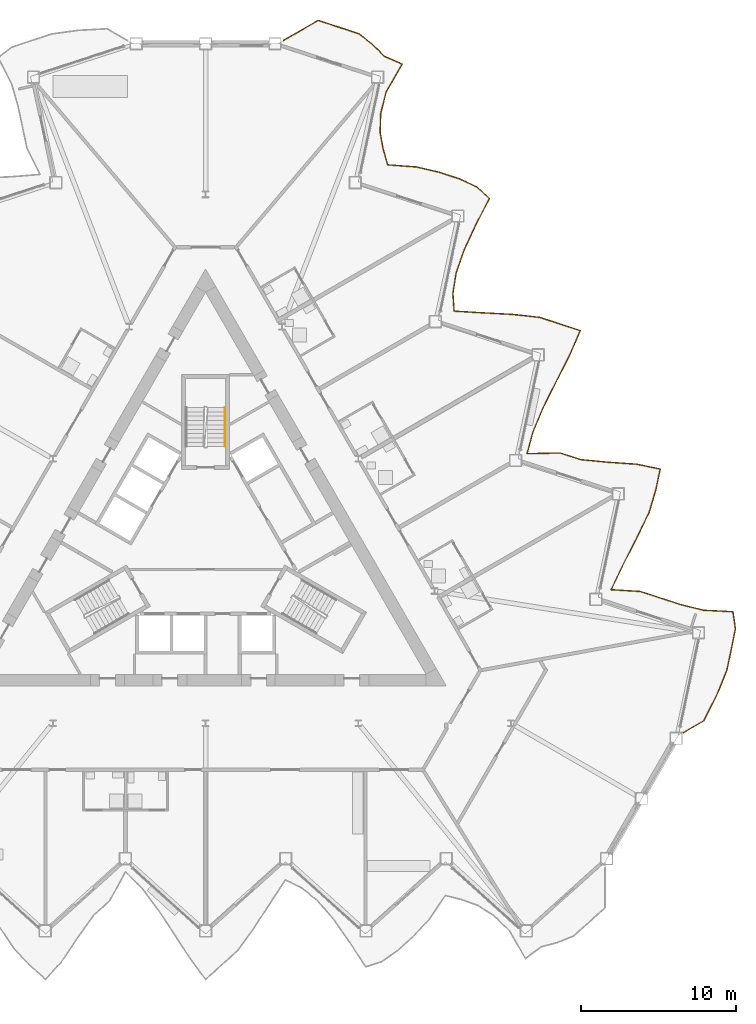
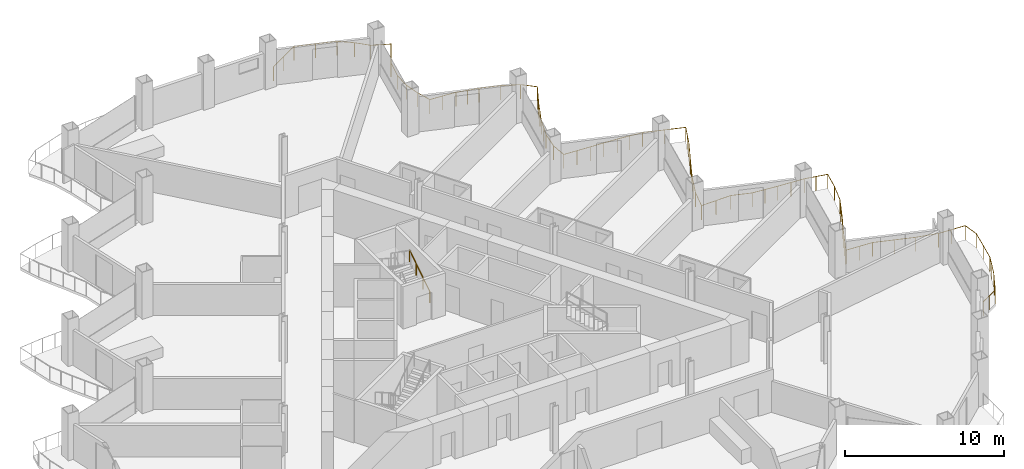
# One storey, part 22 of 24: 2 railings.
"""IFC4 building model written with IfcOpenShell, lengths in metres."""

from ifc_helpers import new_model, si_unit, direction, frame, origin, origin_2d, place, context, subcontext, project, spatial, circle, extrude, material, type_object, element, save


model = new_model("IFC4")

# Units and contexts
model_context = context("Model", 3, precision=1e-05, world=origin(), true_north=direction((0.0, 1.0)))
body_context = subcontext(model_context, "Body", "Model", "MODEL_VIEW")
ifc_project = project(units=[si_unit("LENGTHUNIT", "METRE"), si_unit("AREAUNIT", "SQUARE_METRE"), si_unit("VOLUMEUNIT", "CUBIC_METRE"), si_unit("PLANEANGLEUNIT", "RADIAN"), si_unit("MASSUNIT", "GRAM", prefix="KILO")], contexts=[model_context])

# Site, building, storey
site_placement = place(None, origin())
site = spatial("IfcSite", under=ifc_project, at=site_placement, CompositionType="ELEMENT")
building_placement = place(site_placement, origin())
building = spatial("IfcBuilding", under=site, at=building_placement, Name="Cormorant Prow Tower", CompositionType="ELEMENT")
storey_placement = place(building_placement, frame((0.0, 0.0, 201.60009765625)))
storey = spatial("IfcBuildingStorey", under=building, at=storey_placement, Name="L44", CompositionType="ELEMENT", Elevation=201.60009765625)

# Railings
ifc_material_1 = material(Name="Aluminium 6063-T6", Category="aluminium")
railing_type_1 = type_object("IfcRailingType", Name="Balcony guard 1100", PredefinedType="GUARDRAIL", material=ifc_material_1)
railing_1_placement = place(storey_placement, frame((30.76220703125, -11.961669921875, 0.0)))
element("IfcRailing", 1, at=railing_1_placement, inside=storey, type_object=railing_type_1, Name="Balcony guard ENE", PredefinedType="GUARDRAIL", context=body_context, shape_type="SweptSolid", body=[
    extrude(circle(Radius=0.02392578125, at=origin_2d()), frame((0.0, 0.0, 1.076171875), z_axis=(0.866030456496, 0.499991248344, 0.0), x_axis=(-0.499991248344, 0.866030456496, 0.0)), (0.0, 0.0, 1.0), 1.52001953125),
    extrude(circle(Radius=0.02392578125, at=origin_2d()), frame((1.31640625, 0.760009765625, 1.076171875), z_axis=(0.451051519915, 0.892497913937, 0.0), x_axis=(-0.892497913937, 0.451051519915, 0.0)), (0.0, 0.0, 1.0), 1.880859375),
    extrude(circle(Radius=0.02392578125, at=origin_2d()), frame((2.164794921875, 2.438720703125, 1.076171875), z_axis=(0.378711973619, 0.925514581753, 0.0), x_axis=(-0.925514581753, 0.378711973619, 0.0)), (0.0, 0.0, 1.0), 1.681884765625),
    extrude(circle(Radius=0.02392578125, at=origin_2d()), frame((2.8017578125, 3.995361328125, 1.076171875), z_axis=(0.207928301643, 0.978144069847, 0.0), x_axis=(-0.978144069847, 0.207928301643, 0.0)), (0.0, 0.0, 1.0), 1.385498046875),
    extrude(circle(Radius=0.02392578125, at=origin_2d()), frame((3.08984375, 5.3505859375, 1.076171875), z_axis=(0.196081886104, 0.980587524876, 0.0), x_axis=(-0.980587524876, 0.196081886104, 0.0)), (0.0, 0.0, 1.0), 1.370849609375),
    extrude(circle(Radius=0.02392578125, at=origin_2d()), frame((3.358642578125, 6.69482421875, 1.076171875), z_axis=(-0.143857472512, 0.98959841734, 0.0), x_axis=(-0.98959841734, -0.143857472512, 0.0)), (0.0, 0.0, 1.0), 1.108154296875),
    extrude(circle(Radius=0.02392578125, at=origin_2d()), frame((3.19921875, 7.79150390625, 1.076171875), z_axis=(-0.998717729688, 0.050625057109, 0.0), x_axis=(-0.050625057109, -0.998717729688, 0.0)), (0.0, 0.0, 1.0), 1.895263671875),
    extrude(circle(Radius=0.02392578125, at=origin_2d()), frame((1.306396484375, 7.887451171875, 1.076171875), z_axis=(-0.971157092168, 0.238440563521, 0.0), x_axis=(-0.238440563521, -0.971157092168, 0.0)), (0.0, 0.0, 1.0), 1.48779296875),
    extrude(circle(Radius=0.02392578125, at=origin_2d()), frame((-0.138427734375, 8.2421875, 1.076171875), z_axis=(-0.95105219364, 0.309030297822, 0.0), x_axis=(-0.309030297822, -0.95105219364, 0.0)), (0.0, 0.0, 1.0), 1.3857421875),
    extrude(circle(Radius=0.02392578125, at=origin_2d()), frame((-1.456298828125, 8.67041015625, 1.076171875), z_axis=(-0.951035363693, 0.309082087811, 0.0), x_axis=(-0.309082087811, -0.951035363693, 0.0)), (0.0, 0.0, 1.0), 1.385498046875),
    extrude(circle(Radius=0.02392578125, at=origin_2d()), frame((-2.77392578125, 9.0986328125, 1.076171875), z_axis=(-0.998216695896, 0.059694455643, 0.0), x_axis=(-0.059694455643, -0.998216695896, 0.0)), (0.0, 0.0, 1.0), 1.869140625),
    extrude(circle(Radius=0.02392578125, at=origin_2d()), frame((-4.6396484375, 9.210205078125, 1.076171875), z_axis=(0.428971673978, 0.903317941217, 0.0), x_axis=(-0.903317941217, 0.428971673978, 0.0)), (0.0, 0.0, 1.0), 1.813232421875),
    extrude(circle(Radius=0.02392578125, at=origin_2d()), frame((-3.86181640625, 10.84814453125, 1.076171875), z_axis=(0.457353814976, 0.889284818226, 0.0), x_axis=(-0.889284818226, 0.457353814976, 0.0)), (0.0, 0.0, 1.0), 1.9013671875),
    extrude(circle(Radius=0.02392578125, at=origin_2d()), frame((-2.9921875, 12.5390625, 1.076171875), z_axis=(0.433972190162, 0.900926266776, 0.0), x_axis=(-0.900926266776, 0.433972190162, 0.0)), (0.0, 0.0, 1.0), 1.828369140625),
    extrude(circle(Radius=0.02392578125, at=origin_2d()), frame((-2.19873046875, 14.186279296875, 1.076171875), z_axis=(0.286017669149, 0.958224343739, 0.0), x_axis=(-0.958224343739, 0.286017669149, 0.0)), (0.0, 0.0, 1.0), 1.498779296875),
    extrude(circle(Radius=0.02392578125, at=origin_2d()), frame((-1.77001953125, 15.62255859375, 1.076171875), z_axis=(0.207759700267, 0.978179894981, 0.0), x_axis=(-0.978179894981, 0.207759700267, 0.0)), (0.0, 0.0, 1.0), 1.385498046875),
    extrude(circle(Radius=0.02392578125, at=origin_2d()), frame((-1.482177734375, 16.977783203125, 1.076171875), z_axis=(-0.979026381985, 0.203733510689, 0.0), x_axis=(-0.203733510689, -0.979026381985, 0.0)), (0.0, 0.0, 1.0), 1.5458984375),
    extrude(circle(Radius=0.02392578125, at=origin_2d()), frame((-2.99560546875, 17.292724609375, 1.076171875), z_axis=(-0.99769652424, 0.06783542968, 0.0), x_axis=(-0.06783542968, -0.99769652424, 0.0)), (0.0, 0.0, 1.0), 1.84619140625),
    extrude(circle(Radius=0.02392578125, at=origin_2d()), frame((-4.837646484375, 17.41796875, 1.076171875), z_axis=(-0.995445252612, 0.095334930909, 0.0), x_axis=(-0.095334930909, -0.995445252612, 0.0)), (0.0, 0.0, 1.0), 1.774658203125),
    extrude(circle(Radius=0.02392578125, at=origin_2d()), frame((-6.604248046875, 17.587158203125, 1.076171875), z_axis=(-0.951035363693, 0.309082087811, 0.0), x_axis=(-0.309082087811, -0.951035363693, 0.0)), (0.0, 0.0, 1.0), 1.385498046875),
    extrude(circle(Radius=0.02392578125, at=origin_2d()), frame((-7.921875, 18.015380859375, 1.076171875), z_axis=(-0.999797213453, -0.020137824395, 0.0), x_axis=(0.020137824395, -0.999797213453, 0.0)), (0.0, 0.0, 1.0), 2.1337890625),
    extrude(circle(Radius=0.02392578125, at=origin_2d()), frame((-10.05517578125, 17.972412109375, 1.076171875), z_axis=(0.260183618707, 0.965559156425, 0.0), x_axis=(-0.965559156425, 0.260183618707, 0.0)), (0.0, 0.0, 1.0), 1.458251953125),
    extrude(circle(Radius=0.02392578125, at=origin_2d()), frame((-9.67578125, 19.38037109375, 1.076171875), z_axis=(0.388958547178, 0.921255257015, 0.0), x_axis=(-0.921255257015, 0.388958547178, 0.0)), (0.0, 0.0, 1.0), 1.70654296875),
    extrude(circle(Radius=0.02392578125, at=origin_2d()), frame((-9.011962890625, 20.95263671875, 1.076171875), z_axis=(0.448360864251, 0.893852636293, 0.0), x_axis=(-0.893852636293, 0.448360864251, 0.0)), (0.0, 0.0, 1.0), 1.8720703125),
    extrude(circle(Radius=0.02392578125, at=origin_2d()), frame((-8.172607421875, 22.6259765625, 1.076171875), z_axis=(0.453305877477, 0.891355025478, 0.0), x_axis=(-0.891355025478, 0.453305877477, 0.0)), (0.0, 0.0, 1.0), 1.88818359375),
    extrude(circle(Radius=0.02392578125, at=origin_2d()), frame((-7.316650390625, 24.30908203125, 1.076171875), z_axis=(0.397413086801, 0.917639819558, 0.0), x_axis=(-0.917639819558, 0.397413086801, 0.0)), (0.0, 0.0, 1.0), 1.7275390625),
    extrude(circle(Radius=0.02392578125, at=origin_2d()), frame((-6.630126953125, 25.894287109375, 1.076171875), z_axis=(-0.951035363693, 0.309082087811, 0.0), x_axis=(-0.309082087811, -0.951035363693, 0.0)), (0.0, 0.0, 1.0), 1.385498046875),
    extrude(circle(Radius=0.02392578125, at=origin_2d()), frame((-7.94775390625, 26.322509765625, 1.076171875), z_axis=(-0.951087151367, 0.308922693412, 0.0), x_axis=(-0.308922693412, -0.951087151367, 0.0)), (0.0, 0.0, 1.0), 1.385498046875),
    extrude(circle(Radius=0.02392578125, at=origin_2d()), frame((-9.265380859375, 26.75048828125, 1.076171875), z_axis=(-0.994137264944, 0.108125383, 0.0), x_axis=(-0.108125383, -0.994137264944, 0.0)), (0.0, 0.0, 1.0), 1.7431640625),
    extrude(circle(Radius=0.02392578125, at=origin_2d()), frame((-10.998291015625, 26.93896484375, 1.076171875), z_axis=(-0.998624243935, 0.052436813637, 0.0), x_axis=(-0.052436813637, -0.998624243935, 0.0)), (0.0, 0.0, 1.0), 1.890380859375),
    extrude(circle(Radius=0.02392578125, at=origin_2d()), frame((-12.885986328125, 27.0380859375, 1.076171875), z_axis=(-0.998216695896, 0.059694455643, 0.0), x_axis=(-0.059694455643, -0.998216695896, 0.0)), (0.0, 0.0, 1.0), 1.869140625),
    extrude(circle(Radius=0.02392578125, at=origin_2d()), frame((-14.751708984375, 27.149658203125, 1.076171875), z_axis=(-0.069460192235, 0.997584724068, 0.0), x_axis=(-0.997584724068, -0.069460192235, 0.0)), (0.0, 0.0, 1.0), 1.145751953125),
    extrude(circle(Radius=0.02392578125, at=origin_2d()), frame((-14.831298828125, 28.292724609375, 1.076171875), z_axis=(0.155962573473, 0.987762965329, 0.0), x_axis=(-0.987762965329, 0.155962573473, 0.0)), (0.0, 0.0, 1.0), 1.32421875),
    extrude(circle(Radius=0.02392578125, at=origin_2d()), frame((-14.624755859375, 29.600830078125, 1.076171875), z_axis=(0.328021300489, 0.944670326847, 0.0), x_axis=(-0.944670326847, 0.328021300489, 0.0)), (0.0, 0.0, 1.0), 1.57421875),
    extrude(circle(Radius=0.02392578125, at=origin_2d()), frame((-14.1083984375, 31.087890625, 1.076171875), z_axis=(0.423249912719, 0.906012975284, 0.0), x_axis=(-0.906012975284, 0.423249912719, 0.0)), (0.0, 0.0, 1.0), 1.796875),
    extrude(circle(Radius=0.02392578125, at=origin_2d()), frame((-13.347900390625, 32.7158203125, 1.076171875), z_axis=(0.456953087296, 0.889490795911, 0.0), x_axis=(-0.889490795911, 0.456953087296, 0.0)), (0.0, 0.0, 1.0), 1.89990234375),
    extrude(circle(Radius=0.02392578125, at=origin_2d()), frame((-12.479736328125, 34.40576171875, 1.076171875), z_axis=(-0.738465925188, 0.674290795826, 0.0), x_axis=(-0.674290795826, -0.738465925188, 0.0)), (0.0, 0.0, 1.0), 1.080322265625),
    extrude(circle(Radius=0.02392578125, at=origin_2d()), frame((-13.277587890625, 35.13427734375, 1.076171875), z_axis=(-0.905316348441, 0.424737930077, 0.0), x_axis=(-0.424737930077, -0.905316348441, 0.0)), (0.0, 0.0, 1.0), 1.2548828125),
    extrude(circle(Radius=0.02392578125, at=origin_2d()), frame((-14.41357421875, 35.667236328125, 1.076171875), z_axis=(-0.951035363693, 0.309082087811, 0.0), x_axis=(-0.309082087811, -0.951035363693, 0.0)), (0.0, 0.0, 1.0), 1.385498046875),
    extrude(circle(Radius=0.02392578125, at=origin_2d()), frame((-15.731201171875, 36.095458984375, 1.076171875), z_axis=(-0.974456553885, 0.224576099775, 0.0), x_axis=(-0.224576099775, -0.974456553885, 0.0)), (0.0, 0.0, 1.0), 1.510009765625),
    extrude(circle(Radius=0.02392578125, at=origin_2d()), frame((-17.20263671875, 36.4345703125, 1.076171875), z_axis=(-0.997342464546, 0.072856080142, 0.0), x_axis=(-0.072856080142, -0.997342464546, 0.0)), (0.0, 0.0, 1.0), 1.8330078125),
    extrude(circle(Radius=0.02392578125, at=origin_2d()), frame((-19.03076171875, 36.568115234375, 1.076171875), z_axis=(-0.27639244996, 0.961044855147, 0.0), x_axis=(-0.961044855147, -0.27639244996, 0.0)), (0.0, 0.0, 1.0), 1.060791015625),
    extrude(circle(Radius=0.02392578125, at=origin_2d()), frame((-19.323974609375, 37.587646484375, 1.076171875), z_axis=(-0.17925867627, 0.983801975492, 0.0), x_axis=(-0.983801975492, -0.17925867627, 0.0)), (0.0, 0.0, 1.0), 1.09375),
    extrude(circle(Radius=0.02392578125, at=origin_2d()), frame((-19.52001953125, 38.66357421875, 1.076171875), z_axis=(0.033810702135, 0.999428254764, 0.0), x_axis=(-0.999428254764, 0.033810702135, 0.0)), (0.0, 0.0, 1.0), 1.213134765625),
    extrude(circle(Radius=0.02392578125, at=origin_2d()), frame((-19.47900390625, 39.8759765625, 1.076171875), z_axis=(0.243537294551, 0.969891533195, 0.0), x_axis=(-0.969891533195, 0.243537294551, 0.0)), (0.0, 0.0, 1.0), 1.43359375),
    extrude(circle(Radius=0.02392578125, at=origin_2d()), frame((-19.1298828125, 41.266357421875, 1.076171875), z_axis=(0.50119942559, 0.865331806759, 0.0), x_axis=(-0.865331806759, 0.50119942559, 0.0)), (0.0, 0.0, 1.0), 2.064453125),
    extrude(circle(Radius=0.02392578125, at=origin_2d()), frame((-18.09521484375, 43.052734375, 1.076171875), z_axis=(-0.916227414794, 0.400658613261, 0.0), x_axis=(-0.400658613261, -0.916227414794, 0.0)), (0.0, 0.0, 1.0), 1.279052734375),
    extrude(circle(Radius=0.02392578125, at=origin_2d()), frame((-19.26708984375, 43.565185546875, 1.076171875), z_axis=(-0.699834848537, 0.714304686232, 0.0), x_axis=(-0.714304686232, -0.699834848537, 0.0)), (0.0, 0.0, 1.0), 1.06298828125),
    extrude(circle(Radius=0.02392578125, at=origin_2d()), frame((-20.010986328125, 44.324462890625, 1.076171875), z_axis=(-0.789032664101, 0.614351247237, 0.0), x_axis=(-0.614351247237, -0.789032664101, 0.0)), (0.0, 0.0, 1.0), 1.111083984375),
    extrude(circle(Radius=0.02392578125, at=origin_2d()), frame((-20.8876953125, 45.007080078125, 1.076171875), z_axis=(-0.949389153866, 0.314102267616, 0.0), x_axis=(-0.314102267616, -0.949389153866, 0.0)), (0.0, 0.0, 1.0), 1.37890625),
    extrude(circle(Radius=0.02392578125, at=origin_2d()), frame((-22.19677734375, 45.440185546875, 1.076171875), z_axis=(-0.951087151367, 0.308922693412, 0.0), x_axis=(-0.308922693412, -0.951087151367, 0.0)), (0.0, 0.0, 1.0), 1.385498046875),
    extrude(circle(Radius=0.02392578125, at=origin_2d()), frame((-23.514404296875, 45.8681640625, 1.076171875), z_axis=(-0.866054294558, -0.499949956374, 0.0), x_axis=(0.499949956374, -0.866054294558, 0.0)), (0.0, 0.0, 1.0), 2.570068359375),
    extrude(circle(Radius=0.02099609375, at=origin_2d()), origin(), (0.0, 0.0, 1.0), 1.052001953125),
    extrude(circle(Radius=0.02099609375, at=origin_2d()), frame((0.658203125, 0.3798828125, 0.0)), (0.0, 0.0, 1.0), 1.052001953125),
    extrude(circle(Radius=0.02099609375, at=origin_2d()), frame((1.31640625, 0.760009765625, 0.0)), (0.0, 0.0, 1.0), 1.052001953125),
    extrude(circle(Radius=0.02099609375, at=origin_2d()), frame((1.74072265625, 1.599365234375, 0.0)), (0.0, 0.0, 1.0), 1.052001953125),
    extrude(circle(Radius=0.02099609375, at=origin_2d()), frame((2.164794921875, 2.438720703125, 0.0)), (0.0, 0.0, 1.0), 1.052001953125),
    extrude(circle(Radius=0.02099609375, at=origin_2d()), frame((2.4833984375, 3.217041015625, 0.0)), (0.0, 0.0, 1.0), 1.052001953125),
    extrude(circle(Radius=0.02099609375, at=origin_2d()), frame((2.8017578125, 3.995361328125, 0.0)), (0.0, 0.0, 1.0), 1.052001953125),
    extrude(circle(Radius=0.02099609375, at=origin_2d()), frame((3.08984375, 5.3505859375, 0.0)), (0.0, 0.0, 1.0), 1.052001953125),
    extrude(circle(Radius=0.02099609375, at=origin_2d()), frame((3.358642578125, 6.69482421875, 0.0)), (0.0, 0.0, 1.0), 1.052001953125),
    extrude(circle(Radius=0.02099609375, at=origin_2d()), frame((3.19921875, 7.79150390625, 0.0)), (0.0, 0.0, 1.0), 1.052001953125),
    extrude(circle(Radius=0.02099609375, at=origin_2d()), frame((2.2529296875, 7.83935546875, 0.0)), (0.0, 0.0, 1.0), 1.052001953125),
    extrude(circle(Radius=0.02099609375, at=origin_2d()), frame((1.306396484375, 7.887451171875, 0.0)), (0.0, 0.0, 1.0), 1.052001953125),
    extrude(circle(Radius=0.02099609375, at=origin_2d()), frame((-0.138427734375, 8.2421875, 0.0)), (0.0, 0.0, 1.0), 1.052001953125),
    extrude(circle(Radius=0.02099609375, at=origin_2d()), frame((-1.456298828125, 8.67041015625, 0.0)), (0.0, 0.0, 1.0), 1.052001953125),
    extrude(circle(Radius=0.02099609375, at=origin_2d()), frame((-2.77392578125, 9.0986328125, 0.0)), (0.0, 0.0, 1.0), 1.052001953125),
    extrude(circle(Radius=0.02099609375, at=origin_2d()), frame((-3.706787109375, 9.154296875, 0.0)), (0.0, 0.0, 1.0), 1.052001953125),
    extrude(circle(Radius=0.02099609375, at=origin_2d()), frame((-4.6396484375, 9.210205078125, 0.0)), (0.0, 0.0, 1.0), 1.052001953125),
    extrude(circle(Radius=0.02099609375, at=origin_2d()), frame((-4.250732421875, 10.029296875, 0.0)), (0.0, 0.0, 1.0), 1.052001953125),
    extrude(circle(Radius=0.02099609375, at=origin_2d()), frame((-3.86181640625, 10.84814453125, 0.0)), (0.0, 0.0, 1.0), 1.052001953125),
    extrude(circle(Radius=0.02099609375, at=origin_2d()), frame((-3.427001953125, 11.693603515625, 0.0)), (0.0, 0.0, 1.0), 1.052001953125),
    extrude(circle(Radius=0.02099609375, at=origin_2d()), frame((-2.9921875, 12.5390625, 0.0)), (0.0, 0.0, 1.0), 1.052001953125),
    extrude(circle(Radius=0.02099609375, at=origin_2d()), frame((-2.595458984375, 13.36279296875, 0.0)), (0.0, 0.0, 1.0), 1.052001953125),
    extrude(circle(Radius=0.02099609375, at=origin_2d()), frame((-2.19873046875, 14.186279296875, 0.0)), (0.0, 0.0, 1.0), 1.052001953125),
    extrude(circle(Radius=0.02099609375, at=origin_2d()), frame((-1.77001953125, 15.62255859375, 0.0)), (0.0, 0.0, 1.0), 1.052001953125),
    extrude(circle(Radius=0.02099609375, at=origin_2d()), frame((-1.482177734375, 16.977783203125, 0.0)), (0.0, 0.0, 1.0), 1.052001953125),
    extrude(circle(Radius=0.02099609375, at=origin_2d()), frame((-2.23876953125, 17.13525390625, 0.0)), (0.0, 0.0, 1.0), 1.052001953125),
    extrude(circle(Radius=0.02099609375, at=origin_2d()), frame((-2.99560546875, 17.292724609375, 0.0)), (0.0, 0.0, 1.0), 1.052001953125),
    extrude(circle(Radius=0.02099609375, at=origin_2d()), frame((-3.91650390625, 17.35546875, 0.0)), (0.0, 0.0, 1.0), 1.052001953125),
    extrude(circle(Radius=0.02099609375, at=origin_2d()), frame((-4.837646484375, 17.41796875, 0.0)), (0.0, 0.0, 1.0), 1.052001953125),
    extrude(circle(Radius=0.02099609375, at=origin_2d()), frame((-5.720947265625, 17.50244140625, 0.0)), (0.0, 0.0, 1.0), 1.052001953125),
    extrude(circle(Radius=0.02099609375, at=origin_2d()), frame((-6.604248046875, 17.587158203125, 0.0)), (0.0, 0.0, 1.0), 1.052001953125),
    extrude(circle(Radius=0.02099609375, at=origin_2d()), frame((-7.921875, 18.015380859375, 0.0)), (0.0, 0.0, 1.0), 1.052001953125),
    extrude(circle(Radius=0.02099609375, at=origin_2d()), frame((-8.988525390625, 17.993896484375, 0.0)), (0.0, 0.0, 1.0), 1.052001953125),
    extrude(circle(Radius=0.02099609375, at=origin_2d()), frame((-10.05517578125, 17.972412109375, 0.0)), (0.0, 0.0, 1.0), 1.052001953125),
    extrude(circle(Radius=0.02099609375, at=origin_2d()), frame((-9.67578125, 19.38037109375, 0.0)), (0.0, 0.0, 1.0), 1.052001953125),
    extrude(circle(Radius=0.02099609375, at=origin_2d()), frame((-9.34375, 20.16650390625, 0.0)), (0.0, 0.0, 1.0), 1.052001953125),
    extrude(circle(Radius=0.02099609375, at=origin_2d()), frame((-9.011962890625, 20.95263671875, 0.0)), (0.0, 0.0, 1.0), 1.052001953125),
    extrude(circle(Radius=0.02099609375, at=origin_2d()), frame((-8.59228515625, 21.789306640625, 0.0)), (0.0, 0.0, 1.0), 1.052001953125),
    extrude(circle(Radius=0.02099609375, at=origin_2d()), frame((-8.172607421875, 22.6259765625, 0.0)), (0.0, 0.0, 1.0), 1.052001953125),
    extrude(circle(Radius=0.02099609375, at=origin_2d()), frame((-7.74462890625, 23.467529296875, 0.0)), (0.0, 0.0, 1.0), 1.052001953125),
    extrude(circle(Radius=0.02099609375, at=origin_2d()), frame((-7.316650390625, 24.30908203125, 0.0)), (0.0, 0.0, 1.0), 1.052001953125),
    extrude(circle(Radius=0.02099609375, at=origin_2d()), frame((-6.973388671875, 25.1015625, 0.0)), (0.0, 0.0, 1.0), 1.052001953125),
    extrude(circle(Radius=0.02099609375, at=origin_2d()), frame((-6.630126953125, 25.894287109375, 0.0)), (0.0, 0.0, 1.0), 1.052001953125),
    extrude(circle(Radius=0.02099609375, at=origin_2d()), frame((-7.94775390625, 26.322509765625, 0.0)), (0.0, 0.0, 1.0), 1.052001953125),
    extrude(circle(Radius=0.02099609375, at=origin_2d()), frame((-9.265380859375, 26.75048828125, 0.0)), (0.0, 0.0, 1.0), 1.052001953125),
    extrude(circle(Radius=0.02099609375, at=origin_2d()), frame((-10.1318359375, 26.8447265625, 0.0)), (0.0, 0.0, 1.0), 1.052001953125),
    extrude(circle(Radius=0.02099609375, at=origin_2d()), frame((-10.998291015625, 26.93896484375, 0.0)), (0.0, 0.0, 1.0), 1.052001953125),
    extrude(circle(Radius=0.02099609375, at=origin_2d()), frame((-11.942138671875, 26.988525390625, 0.0)), (0.0, 0.0, 1.0), 1.052001953125),
    extrude(circle(Radius=0.02099609375, at=origin_2d()), frame((-12.885986328125, 27.0380859375, 0.0)), (0.0, 0.0, 1.0), 1.052001953125),
    extrude(circle(Radius=0.02099609375, at=origin_2d()), frame((-13.81884765625, 27.09375, 0.0)), (0.0, 0.0, 1.0), 1.052001953125),
    extrude(circle(Radius=0.02099609375, at=origin_2d()), frame((-14.751708984375, 27.149658203125, 0.0)), (0.0, 0.0, 1.0), 1.052001953125),
    extrude(circle(Radius=0.02099609375, at=origin_2d()), frame((-14.831298828125, 28.292724609375, 0.0)), (0.0, 0.0, 1.0), 1.052001953125),
    extrude(circle(Radius=0.02099609375, at=origin_2d()), frame((-14.624755859375, 29.600830078125, 0.0)), (0.0, 0.0, 1.0), 1.052001953125),
    extrude(circle(Radius=0.02099609375, at=origin_2d()), frame((-14.36669921875, 30.34423828125, 0.0)), (0.0, 0.0, 1.0), 1.052001953125),
    extrude(circle(Radius=0.02099609375, at=origin_2d()), frame((-14.1083984375, 31.087890625, 0.0)), (0.0, 0.0, 1.0), 1.052001953125),
    extrude(circle(Radius=0.02099609375, at=origin_2d()), frame((-13.72802734375, 31.90185546875, 0.0)), (0.0, 0.0, 1.0), 1.052001953125),
    extrude(circle(Radius=0.02099609375, at=origin_2d()), frame((-13.347900390625, 32.7158203125, 0.0)), (0.0, 0.0, 1.0), 1.052001953125),
    extrude(circle(Radius=0.02099609375, at=origin_2d()), frame((-12.913818359375, 33.560791015625, 0.0)), (0.0, 0.0, 1.0), 1.052001953125),
    extrude(circle(Radius=0.02099609375, at=origin_2d()), frame((-12.479736328125, 34.40576171875, 0.0)), (0.0, 0.0, 1.0), 1.052001953125),
    extrude(circle(Radius=0.02099609375, at=origin_2d()), frame((-13.277587890625, 35.13427734375, 0.0)), (0.0, 0.0, 1.0), 1.052001953125),
    extrude(circle(Radius=0.02099609375, at=origin_2d()), frame((-14.41357421875, 35.667236328125, 0.0)), (0.0, 0.0, 1.0), 1.052001953125),
    extrude(circle(Radius=0.02099609375, at=origin_2d()), frame((-15.731201171875, 36.095458984375, 0.0)), (0.0, 0.0, 1.0), 1.052001953125),
    extrude(circle(Radius=0.02099609375, at=origin_2d()), frame((-16.466796875, 36.26513671875, 0.0)), (0.0, 0.0, 1.0), 1.052001953125),
    extrude(circle(Radius=0.02099609375, at=origin_2d()), frame((-17.20263671875, 36.4345703125, 0.0)), (0.0, 0.0, 1.0), 1.052001953125),
    extrude(circle(Radius=0.02099609375, at=origin_2d()), frame((-18.11669921875, 36.50146484375, 0.0)), (0.0, 0.0, 1.0), 1.052001953125),
    extrude(circle(Radius=0.02099609375, at=origin_2d()), frame((-19.03076171875, 36.568115234375, 0.0)), (0.0, 0.0, 1.0), 1.052001953125),
    extrude(circle(Radius=0.02099609375, at=origin_2d()), frame((-19.323974609375, 37.587646484375, 0.0)), (0.0, 0.0, 1.0), 1.052001953125),
    extrude(circle(Radius=0.02099609375, at=origin_2d()), frame((-19.52001953125, 38.66357421875, 0.0)), (0.0, 0.0, 1.0), 1.052001953125),
    extrude(circle(Radius=0.02099609375, at=origin_2d()), frame((-19.47900390625, 39.8759765625, 0.0)), (0.0, 0.0, 1.0), 1.052001953125),
    extrude(circle(Radius=0.02099609375, at=origin_2d()), frame((-19.1298828125, 41.266357421875, 0.0)), (0.0, 0.0, 1.0), 1.052001953125),
    extrude(circle(Radius=0.02099609375, at=origin_2d()), frame((-18.612548828125, 42.15966796875, 0.0)), (0.0, 0.0, 1.0), 1.052001953125),
    extrude(circle(Radius=0.02099609375, at=origin_2d()), frame((-18.09521484375, 43.052734375, 0.0)), (0.0, 0.0, 1.0), 1.052001953125),
    extrude(circle(Radius=0.02099609375, at=origin_2d()), frame((-19.26708984375, 43.565185546875, 0.0)), (0.0, 0.0, 1.0), 1.052001953125),
    extrude(circle(Radius=0.02099609375, at=origin_2d()), frame((-20.010986328125, 44.324462890625, 0.0)), (0.0, 0.0, 1.0), 1.052001953125),
    extrude(circle(Radius=0.02099609375, at=origin_2d()), frame((-20.8876953125, 45.007080078125, 0.0)), (0.0, 0.0, 1.0), 1.052001953125),
    extrude(circle(Radius=0.02099609375, at=origin_2d()), frame((-22.19677734375, 45.440185546875, 0.0)), (0.0, 0.0, 1.0), 1.052001953125),
    extrude(circle(Radius=0.02099609375, at=origin_2d()), frame((-23.514404296875, 45.8681640625, 0.0)), (0.0, 0.0, 1.0), 1.052001953125),
    extrude(circle(Radius=0.02099609375, at=origin_2d()), frame((-24.62744140625, 45.2255859375, 0.0)), (0.0, 0.0, 1.0), 1.052001953125),
    extrude(circle(Radius=0.02099609375, at=origin_2d()), frame((-25.740234375, 44.583251953125, 0.0)), (0.0, 0.0, 1.0), 1.052001953125),
])
ifc_material_2 = material(Name="Stainless steel", Category="steel")
railing_type_2 = type_object("IfcRailingType", Name="Stair handrail 900", PredefinedType="HANDRAIL", material=ifc_material_2)
railing_2_placement = place(storey_placement, frame((1.243896484375, 6.455810546875, 0.179931640625)))
element("IfcRailing", 2, at=railing_2_placement, inside=storey, type_object=railing_type_2, Name="L44 ST3 stair handrail 1", PredefinedType="HANDRAIL", context=body_context, shape_type="SweptSolid", body=[
    extrude(circle(Radius=0.02392578125, at=origin_2d()), frame((0.0, 0.0, 0.8759765625), z_axis=(0.0, 0.841199657755, 0.540724639528), x_axis=(-1.0, 0.0, 0.0)), (0.0, 0.0, 1.0), 2.995849609375),
    extrude(circle(Radius=0.02099609375, at=origin_2d()), origin(), (0.0, 0.0, 1.0), 0.851806640625),
    extrude(circle(Radius=0.02099609375, at=origin_2d()), frame((0.0, 0.840087890625, 0.5400390625)), (0.0, 0.0, 1.0), 0.851806640625),
    extrude(circle(Radius=0.02099609375, at=origin_2d()), frame((0.0, 1.679931640625, 1.079833984375)), (0.0, 0.0, 1.0), 0.851806640625),
    extrude(circle(Radius=0.02099609375, at=origin_2d()), frame((0.0, 2.52001953125, 1.619873046875)), (0.0, 0.0, 1.0), 0.851806640625),
])

save(model, "model.ifc")
